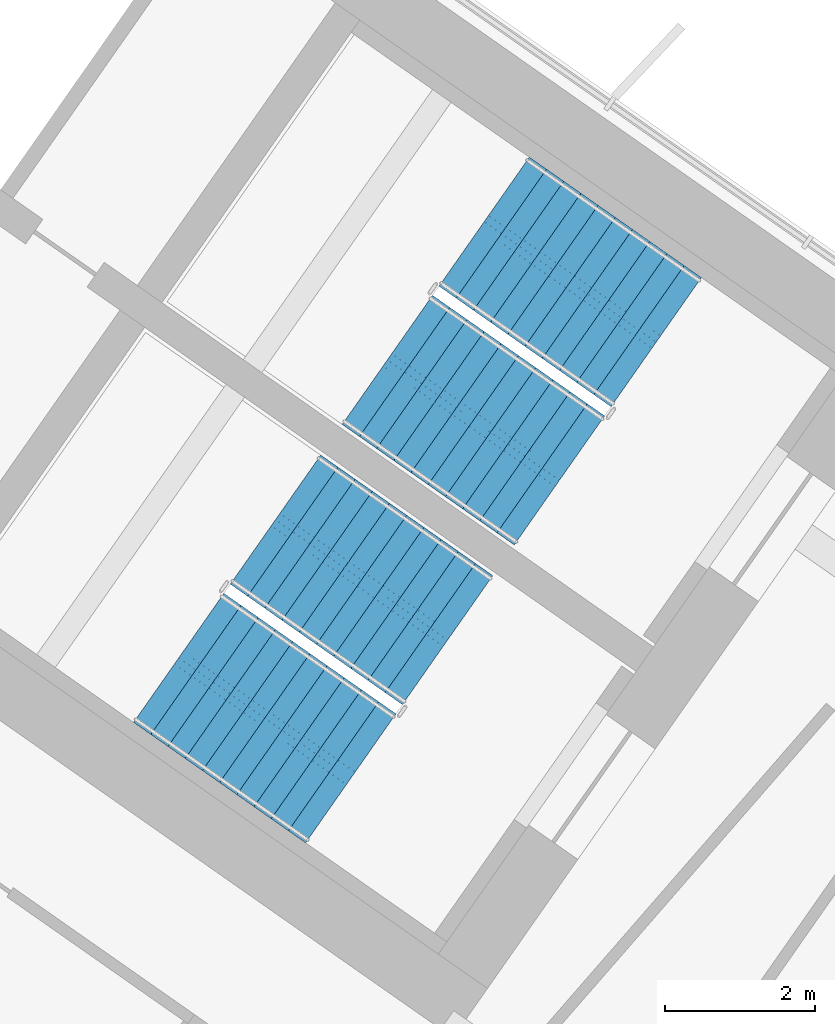
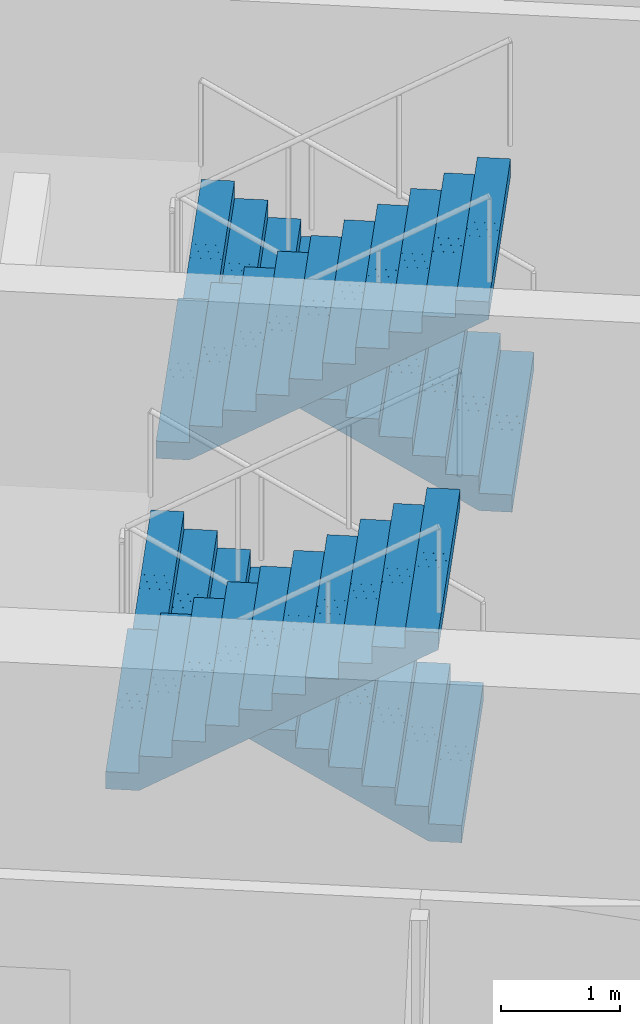
# One storey, part 16 of 21: 4 stair flights, 2 elements without a shape of their own.
"""IFC4 building model written with IfcOpenShell, lengths in metres."""

import ifcopenshell
import ifcopenshell.guid

model = None  # the IFC model being written
_history = None  # IfcOwnerHistory: only IFC2X3 demands one
_inside = {}  # id of a spatial element -> (the spatial element, [elements in it])
_under = {}  # id of a project, library or spatial element -> (it, [spatial elements below it])
_declared = {}  # id of a project -> (the project, [libraries it declares])
_typed = {}  # id of a type object -> (the type object, [elements of that type])
_made_of = {}  # id of a material, layer set ... -> (it, [elements and type objects made of it])


def new_model(schema):
    """Start an empty IFC model of exactly this schema.

    Asked for "IFC4X3", IfcOpenShell would pick the latest addendum, in which some entities
    have other attributes; the version numbers below select the first issue.
    IFC2X3 requires an IfcOwnerHistory on every rooted entity: one is made here for all.
    """
    global model, _history
    if schema == "IFC4X3":
        model = ifcopenshell.file(schema_version=(4, 3, 0, 0))
    else:
        model = ifcopenshell.file(schema=schema)
    _inside.clear()
    _under.clear()
    _declared.clear()
    _typed.clear()
    _made_of.clear()
    _history = None
    if model.schema == "IFC2X3":
        org = make("IfcOrganization", Name="unknown")
        user = make(
            "IfcPersonAndOrganization",
            ThePerson=make("IfcPerson", FamilyName="unknown"),
            TheOrganization=org,
        )
        app = make(
            "IfcApplication",
            ApplicationDeveloper=org,
            Version="unknown",
            ApplicationFullName="unknown",
            ApplicationIdentifier="unknown",
        )
        _history = make(
            "IfcOwnerHistory",
            OwningUser=user,
            OwningApplication=app,
            ChangeAction="ADDED",
            CreationDate=0,
        )
    return model


def make(cls, **values):
    """One entity of the class cls with the attributes given. An attribute that is None is left unset."""
    return model.create_entity(
        cls, **{name: value for name, value in values.items() if value is not None}
    )


def rooted(cls, **values):
    """An entity with a GlobalId (a new one), such as an element, a storey or a relation."""
    return make(cls, GlobalId=ifcopenshell.guid.new(), OwnerHistory=_history, **values)


def si_unit(unit_type, name, prefix=None):
    """IfcSIUnit, for example si_unit("LENGTHUNIT", "METRE", prefix="MILLI")."""
    return make("IfcSIUnit", UnitType=unit_type, Prefix=prefix, Name=name)


def assignment(units):
    """IfcUnitAssignment: the units of a project."""
    return None if units is None else make("IfcUnitAssignment", Units=units)


def point(xyz):
    """IfcCartesianPoint."""
    return None if xyz is None else make("IfcCartesianPoint", Coordinates=xyz)


def direction(xyz):
    """IfcDirection."""
    return None if xyz is None else make("IfcDirection", DirectionRatios=xyz)


def frame(location, z_axis=None, x_axis=None):
    """IfcAxis2Placement3D, a coordinate frame: its origin and axes. An axis left out is left unset."""
    return make(
        "IfcAxis2Placement3D",
        Location=point(location),
        Axis=direction(z_axis),
        RefDirection=direction(x_axis),
    )


def origin():
    """The frame at (0, 0, 0) with its axes left unset."""
    return frame((0.0, 0.0, 0.0))


def place(relative_to, where):
    """IfcLocalPlacement: puts the frame where relative to a parent placement (None: the world)."""
    return make(
        "IfcLocalPlacement", PlacementRelTo=relative_to, RelativePlacement=where
    )


def context(
    kind, dimensions, precision=None, world=None, true_north=None, identifier=None
):
    """IfcGeometricRepresentationContext, for example the 3D "Model" context."""
    return make(
        "IfcGeometricRepresentationContext",
        ContextIdentifier=identifier,
        ContextType=kind,
        CoordinateSpaceDimension=dimensions,
        Precision=precision,
        WorldCoordinateSystem=world,
        TrueNorth=true_north,
    )


def subcontext(parent, identifier, kind, view, scale=None):
    """IfcGeometricRepresentationSubContext, for example "Body" below "Model"."""
    return make(
        "IfcGeometricRepresentationSubContext",
        ContextIdentifier=identifier,
        ContextType=kind,
        ParentContext=parent,
        TargetScale=scale,
        TargetView=view,
    )


def project(units=None, contexts=None):
    """IfcProject with its units and contexts."""
    return rooted(
        "IfcProject",
        Name="project",
        RepresentationContexts=contexts,
        UnitsInContext=assignment(units),
    )


def spatial(cls, under=None, at=None, **own):
    """A site, building, storey or space (cls), placed at a placement, below another one or the project."""
    s = rooted(cls, ObjectPlacement=at, **own)
    if under is not None:
        _under.setdefault(under.id(), (under, []))[1].append(s)
    return s


def polyline(points):
    """IfcPolyline through the points."""
    return make("IfcPolyline", Points=[point(p) for p in points])


def outline(outer, holes=None, kind="AREA"):
    """IfcArbitraryClosedProfileDef: a profile drawn as a closed curve; with holes, ...WithVoids."""
    if holes is None:
        return make("IfcArbitraryClosedProfileDef", ProfileType=kind, OuterCurve=outer)
    return make(
        "IfcArbitraryProfileDefWithVoids",
        ProfileType=kind,
        OuterCurve=outer,
        InnerCurves=holes,
    )


def extrude(swept, where, along, depth):
    """IfcExtrudedAreaSolid: the profile swept, set in the frame where, extruded along a direction by depth."""
    return make(
        "IfcExtrudedAreaSolid",
        SweptArea=swept,
        Position=where,
        ExtrudedDirection=direction(along),
        Depth=depth,
    )


def shape(context_of_items, identifier, shape_type, items):
    """IfcShapeRepresentation: the items that make up one representation, for example the "Body"."""
    return make(
        "IfcShapeRepresentation",
        ContextOfItems=context_of_items,
        RepresentationIdentifier=identifier,
        RepresentationType=shape_type,
        Items=items,
    )


def material(Name=None, Category=None):
    """IfcMaterial."""
    return make("IfcMaterial", Name=Name, Category=Category)


def made_of(thing, what):
    """Note that an element or type object is made of a material, layer set ...; save() writes the relation."""
    if what is not None:
        _made_of.setdefault(what.id(), (what, []))[1].append(thing)
    return thing


def type_object(cls, material=None, **own):
    """A type object (cls), such as IfcWallType, which elements share."""
    return made_of(rooted(cls, **own), material)


def element(
    cls,
    number,
    at=None,
    inside=None,
    cuts=None,
    type_object=None,
    material=None,
    context=None,
    identifier="Body",
    shape_type=None,
    held_by="IfcProductDefinitionShape",
    body=None,
    shapes=None,
    **own,
):
    """One element of the class cls, such as IfcWall. Its Tag is "e" and its number.

    at: its placement. inside: the storey or other place that contains it. cuts: it is an
    opening in that element (IfcRelVoidsElement). A single representation is given by context,
    identifier, shape_type and body (its items); several are given by shapes. held_by: the class
    of the entity that holds the representations. save() writes the other relations.
    """
    e = rooted(cls, Tag="e%d" % number, ObjectPlacement=at, **own)
    if body is not None:
        shapes = [shape(context, identifier, shape_type, body)]
    if shapes is not None:
        e.Representation = make(held_by, Representations=shapes)
    if inside is not None:
        _inside.setdefault(inside.id(), (inside, []))[1].append(e)
    if cuts is not None:
        rooted(
            "IfcRelVoidsElement", RelatingBuildingElement=cuts, RelatedOpeningElement=e
        )
    if type_object is not None:
        _typed.setdefault(type_object.id(), (type_object, []))[1].append(e)
    return made_of(e, material)


def aggregate(whole, parts):
    """IfcRelAggregates: a whole, such as a stair, and the parts it consists of."""
    return rooted("IfcRelAggregates", RelatingObject=whole, RelatedObjects=parts)


def save(model, path):
    """Write the relations noted so far, then the file.

    IfcRelAggregates (storeys below a building ...), IfcRelContainedInSpatialStructure (elements
    in a storey), IfcRelDefinesByType, IfcRelAssociatesMaterial and IfcRelDeclares: one each for
    every whole, place, type object, material and project.
    """
    for whole, parts in _under.values():
        aggregate(whole, parts)
    for where, things in _inside.values():
        rooted(
            "IfcRelContainedInSpatialStructure",
            RelatedElements=things,
            RelatingStructure=where,
        )
    for kind, things in _typed.values():
        rooted("IfcRelDefinesByType", RelatedObjects=things, RelatingType=kind)
    for what, things in _made_of.values():
        rooted("IfcRelAssociatesMaterial", RelatedObjects=things, RelatingMaterial=what)
    for by, libraries in _declared.values():
        rooted("IfcRelDeclares", RelatingContext=by, RelatedDefinitions=libraries)
    model.write(path)


model = new_model("IFC4")

# Units and contexts
model_context = context("Model", 3, precision=1e-05, world=origin(), true_north=direction((0.0, 1.0)))
body_context = subcontext(model_context, "Body", "Model", "MODEL_VIEW")
ifc_project = project(units=[si_unit("LENGTHUNIT", "METRE"), si_unit("AREAUNIT", "SQUARE_METRE"), si_unit("VOLUMEUNIT", "CUBIC_METRE"), si_unit("PLANEANGLEUNIT", "RADIAN"), si_unit("MASSUNIT", "GRAM", prefix="KILO")], contexts=[model_context])

# Site, building, storey
site_placement = place(None, origin())
site = spatial("IfcSite", under=ifc_project, at=site_placement, CompositionType="ELEMENT")
building_placement = place(site_placement, origin())
building = spatial("IfcBuilding", under=site, at=building_placement, Name="Tel Ilan Convention Tower", CompositionType="ELEMENT")
storey_placement = place(building_placement, frame((0.0, 0.0, 163.199951171875)))
storey = spatial("IfcBuildingStorey", under=building, at=storey_placement, Name="L37", CompositionType="ELEMENT", Elevation=163.199951171875)

# Stair, stair flights
ifc_material_1 = material(Name="Concrete C40/50", Category="concrete")
stair_type = type_object("IfcStairType", Name="Pressurised Exit Stair 22 risers 177 mm", PredefinedType="HALF_TURN_STAIR", material=ifc_material_1)
stair_1_placement = place(storey_placement, origin())
stair_1 = element("IfcStair", 1, at=stair_1_placement, inside=storey, type_object=stair_type, Name="L37 Pressurised Stair S3", PredefinedType="HALF_TURN_STAIR")
ifc_material_2 = material(Name="Precast Concrete C40/50", Category="concrete")
stair_flight_type = type_object("IfcStairFlightType", Name="Concrete Stair Flight 2100 mm 22 risers 177 mm", PredefinedType="STRAIGHT", material=ifc_material_2)
stair_flight_1_placement = place(storey_placement, frame((24.25244140625, -7.032470703125, 0.0), z_axis=(0.0, 0.0, 1.0), x_axis=(-0.819152044289, 0.573576436351, 0.0)))
stair_flight_1 = element("IfcStairFlight", 2, at=stair_flight_1_placement, type_object=stair_flight_type, Name="S3 flight 1", NumberOfRisers=11, NumberOfTreads=10, PredefinedType="STRAIGHT", RiserHeight=0.177272727, TreadLength=0.28, context=body_context, shape_type="SweptSolid", body=[
    extrude(outline(polyline([(0.0, 0.0), (0.0, 0.17724609375), (0.280029296875, 0.17724609375), (0.280029296875, 0.3544921875), (0.56005859375, 0.3544921875), (0.56005859375, 0.53173828125), (0.840087890625, 0.53173828125), (0.840087890625, 0.708984375), (1.1201171875, 0.708984375), (1.1201171875, 0.886474609375), (1.39990234375, 0.886474609375), (1.39990234375, 1.063720703125), (1.679931640625, 1.063720703125), (1.679931640625, 1.240966796875), (1.9599609375, 1.240966796875), (1.9599609375, 1.418212890625), (2.239990234375, 1.418212890625), (2.239990234375, 1.595458984375), (2.52001953125, 1.595458984375), (2.52001953125, 1.772705078125), (2.800048828125, 1.772705078125), (2.800048828125, 1.949951171875), (2.800048828125, 1.59521484375), (0.2802734375, 0.0), (0.0, 0.0)])), frame((0.0, -0.100341796875, 0.0), z_axis=(0.0, -1.0, 0.0), x_axis=(1.0, 0.0, 0.0)), (0.0, 0.0, 1.0), 0.94970703125),
    extrude(outline(polyline([(0.0, 0.0), (0.0, 0.17724609375), (0.280029296875, 0.17724609375), (0.280029296875, 0.3544921875), (0.56005859375, 0.3544921875), (0.56005859375, 0.53173828125), (0.840087890625, 0.53173828125), (0.840087890625, 0.708984375), (1.1201171875, 0.708984375), (1.1201171875, 0.886474609375), (1.39990234375, 0.886474609375), (1.39990234375, 1.063720703125), (1.679931640625, 1.063720703125), (1.679931640625, 1.240966796875), (1.9599609375, 1.240966796875), (1.9599609375, 1.418212890625), (2.239990234375, 1.418212890625), (2.239990234375, 1.595458984375), (2.52001953125, 1.595458984375), (2.52001953125, 1.772705078125), (2.800048828125, 1.772705078125), (2.800048828125, 1.949951171875), (2.800048828125, 1.59521484375), (0.2802734375, 0.0), (0.0, 0.0)])), frame((0.0, -0.000244140625, 0.0), z_axis=(0.0, -1.0, 0.0), x_axis=(1.0, 0.0, 0.0)), (0.0, 0.0, 1.0), 0.099609375),
    extrude(outline(polyline([(0.0, 0.0), (0.0, 0.17724609375), (0.280029296875, 0.17724609375), (0.280029296875, 0.3544921875), (0.56005859375, 0.3544921875), (0.56005859375, 0.53173828125), (0.840087890625, 0.53173828125), (0.840087890625, 0.708984375), (1.1201171875, 0.708984375), (1.1201171875, 0.886474609375), (1.39990234375, 0.886474609375), (1.39990234375, 1.063720703125), (1.679931640625, 1.063720703125), (1.679931640625, 1.240966796875), (1.9599609375, 1.240966796875), (1.9599609375, 1.418212890625), (2.239990234375, 1.418212890625), (2.239990234375, 1.595458984375), (2.52001953125, 1.595458984375), (2.52001953125, 1.772705078125), (2.800048828125, 1.772705078125), (2.800048828125, 1.949951171875), (2.800048828125, 1.59521484375), (0.2802734375, 0.0), (0.0, 0.0)])), frame((0.0, 0.099853515625, 0.0), z_axis=(0.0, -1.0, 0.0), x_axis=(1.0, 0.0, 0.0)), (0.0, 0.0, 1.0), 0.099609375),
    extrude(outline(polyline([(0.0, 0.0), (0.0, 0.17724609375), (0.280029296875, 0.17724609375), (0.280029296875, 0.3544921875), (0.56005859375, 0.3544921875), (0.56005859375, 0.53173828125), (0.840087890625, 0.53173828125), (0.840087890625, 0.708984375), (1.1201171875, 0.708984375), (1.1201171875, 0.886474609375), (1.39990234375, 0.886474609375), (1.39990234375, 1.063720703125), (1.679931640625, 1.063720703125), (1.679931640625, 1.240966796875), (1.9599609375, 1.240966796875), (1.9599609375, 1.418212890625), (2.239990234375, 1.418212890625), (2.239990234375, 1.595458984375), (2.52001953125, 1.595458984375), (2.52001953125, 1.772705078125), (2.800048828125, 1.772705078125), (2.800048828125, 1.949951171875), (2.800048828125, 1.59521484375), (0.2802734375, 0.0), (0.0, 0.0)])), frame((0.0, 1.050048828125, 0.0), z_axis=(0.0, -1.0, 0.0), x_axis=(1.0, 0.0, 0.0)), (0.0, 0.0, 1.0), 0.94970703125),
])
stair_flight_2_placement = place(storey_placement, frame((20.668212890625, -7.26953125, 1.949951171875), z_axis=(0.0, 0.0, 1.0), x_axis=(0.819152044289, -0.573576436351, 0.0)))
stair_flight_2 = element("IfcStairFlight", 3, at=stair_flight_2_placement, type_object=stair_flight_type, Name="S3 flight 2", NumberOfRisers=11, NumberOfTreads=10, PredefinedType="STRAIGHT", RiserHeight=0.177272727, TreadLength=0.28, context=body_context, shape_type="SweptSolid", body=[
    extrude(outline(polyline([(0.0, 0.0), (0.0, 0.17724609375), (0.280029296875, 0.17724609375), (0.280029296875, 0.3544921875), (0.56005859375, 0.3544921875), (0.56005859375, 0.53173828125), (0.840087890625, 0.53173828125), (0.840087890625, 0.708984375), (1.1201171875, 0.708984375), (1.1201171875, 0.886474609375), (1.39990234375, 0.886474609375), (1.39990234375, 1.063720703125), (1.679931640625, 1.063720703125), (1.679931640625, 1.240966796875), (1.9599609375, 1.240966796875), (1.9599609375, 1.418212890625), (2.239990234375, 1.418212890625), (2.239990234375, 1.595458984375), (2.52001953125, 1.595458984375), (2.52001953125, 1.772705078125), (2.800048828125, 1.772705078125), (2.800048828125, 1.949951171875), (2.800048828125, 1.59521484375), (0.2802734375, 0.0), (0.0, 0.0)])), frame((0.0, -0.100341796875, 0.0), z_axis=(0.0, -1.0, 0.0), x_axis=(1.0, 0.0, 0.0)), (0.0, 0.0, 1.0), 0.94970703125),
    extrude(outline(polyline([(0.0, 0.0), (0.0, 0.17724609375), (0.280029296875, 0.17724609375), (0.280029296875, 0.3544921875), (0.56005859375, 0.3544921875), (0.56005859375, 0.53173828125), (0.840087890625, 0.53173828125), (0.840087890625, 0.708984375), (1.1201171875, 0.708984375), (1.1201171875, 0.886474609375), (1.39990234375, 0.886474609375), (1.39990234375, 1.063720703125), (1.679931640625, 1.063720703125), (1.679931640625, 1.240966796875), (1.9599609375, 1.240966796875), (1.9599609375, 1.418212890625), (2.239990234375, 1.418212890625), (2.239990234375, 1.595458984375), (2.52001953125, 1.595458984375), (2.52001953125, 1.772705078125), (2.800048828125, 1.772705078125), (2.800048828125, 1.949951171875), (2.800048828125, 1.59521484375), (0.2802734375, 0.0), (0.0, 0.0)])), frame((0.0, -0.000244140625, 0.0), z_axis=(0.0, -1.0, 0.0), x_axis=(1.0, 0.0, 0.0)), (0.0, 0.0, 1.0), 0.099609375),
    extrude(outline(polyline([(0.0, 0.0), (0.0, 0.17724609375), (0.280029296875, 0.17724609375), (0.280029296875, 0.3544921875), (0.56005859375, 0.3544921875), (0.56005859375, 0.53173828125), (0.840087890625, 0.53173828125), (0.840087890625, 0.708984375), (1.1201171875, 0.708984375), (1.1201171875, 0.886474609375), (1.39990234375, 0.886474609375), (1.39990234375, 1.063720703125), (1.679931640625, 1.063720703125), (1.679931640625, 1.240966796875), (1.9599609375, 1.240966796875), (1.9599609375, 1.418212890625), (2.239990234375, 1.418212890625), (2.239990234375, 1.595458984375), (2.52001953125, 1.595458984375), (2.52001953125, 1.772705078125), (2.800048828125, 1.772705078125), (2.800048828125, 1.949951171875), (2.800048828125, 1.59521484375), (0.2802734375, 0.0), (0.0, 0.0)])), frame((0.0, 0.099853515625, 0.0), z_axis=(0.0, -1.0, 0.0), x_axis=(1.0, 0.0, 0.0)), (0.0, 0.0, 1.0), 0.099609375),
    extrude(outline(polyline([(0.0, 0.0), (0.0, 0.17724609375), (0.280029296875, 0.17724609375), (0.280029296875, 0.3544921875), (0.56005859375, 0.3544921875), (0.56005859375, 0.53173828125), (0.840087890625, 0.53173828125), (0.840087890625, 0.708984375), (1.1201171875, 0.708984375), (1.1201171875, 0.886474609375), (1.39990234375, 0.886474609375), (1.39990234375, 1.063720703125), (1.679931640625, 1.063720703125), (1.679931640625, 1.240966796875), (1.9599609375, 1.240966796875), (1.9599609375, 1.418212890625), (2.239990234375, 1.418212890625), (2.239990234375, 1.595458984375), (2.52001953125, 1.595458984375), (2.52001953125, 1.772705078125), (2.800048828125, 1.772705078125), (2.800048828125, 1.949951171875), (2.800048828125, 1.59521484375), (0.2802734375, 0.0), (0.0, 0.0)])), frame((0.0, 1.050048828125, 0.0), z_axis=(0.0, -1.0, 0.0), x_axis=(1.0, 0.0, 0.0)), (0.0, 0.0, 1.0), 0.94970703125),
])
aggregate(stair_1, [stair_flight_1, stair_flight_2])

stair_2_placement = place(storey_placement, origin())
stair_2 = element("IfcStair", 4, at=stair_2_placement, inside=storey, type_object=stair_type, Name="L37 Pressurised Stair S4", PredefinedType="HALF_TURN_STAIR")
stair_flight_3_placement = place(storey_placement, frame((21.470458984375, -11.00537109375, 0.0), z_axis=(0.0, 0.0, 1.0), x_axis=(-0.819152044289, 0.573576436351, 0.0)))
stair_flight_3 = element("IfcStairFlight", 5, at=stair_flight_3_placement, type_object=stair_flight_type, Name="S4 flight 1", NumberOfRisers=11, NumberOfTreads=10, PredefinedType="STRAIGHT", RiserHeight=0.177272727, TreadLength=0.28, context=body_context, shape_type="SweptSolid", body=[
    extrude(outline(polyline([(0.0, 0.0), (0.0, 0.17724609375), (0.280029296875, 0.17724609375), (0.280029296875, 0.3544921875), (0.56005859375, 0.3544921875), (0.56005859375, 0.53173828125), (0.840087890625, 0.53173828125), (0.840087890625, 0.708984375), (1.1201171875, 0.708984375), (1.1201171875, 0.886474609375), (1.39990234375, 0.886474609375), (1.39990234375, 1.063720703125), (1.679931640625, 1.063720703125), (1.679931640625, 1.240966796875), (1.9599609375, 1.240966796875), (1.9599609375, 1.418212890625), (2.239990234375, 1.418212890625), (2.239990234375, 1.595458984375), (2.52001953125, 1.595458984375), (2.52001953125, 1.772705078125), (2.800048828125, 1.772705078125), (2.800048828125, 1.949951171875), (2.800048828125, 1.59521484375), (0.2802734375, 0.0), (0.0, 0.0)])), frame((0.0, -0.100341796875, 0.0), z_axis=(0.0, -1.0, 0.0), x_axis=(1.0, 0.0, 0.0)), (0.0, 0.0, 1.0), 0.94970703125),
    extrude(outline(polyline([(0.0, 0.0), (0.0, 0.17724609375), (0.280029296875, 0.17724609375), (0.280029296875, 0.3544921875), (0.56005859375, 0.3544921875), (0.56005859375, 0.53173828125), (0.840087890625, 0.53173828125), (0.840087890625, 0.708984375), (1.1201171875, 0.708984375), (1.1201171875, 0.886474609375), (1.39990234375, 0.886474609375), (1.39990234375, 1.063720703125), (1.679931640625, 1.063720703125), (1.679931640625, 1.240966796875), (1.9599609375, 1.240966796875), (1.9599609375, 1.418212890625), (2.239990234375, 1.418212890625), (2.239990234375, 1.595458984375), (2.52001953125, 1.595458984375), (2.52001953125, 1.772705078125), (2.800048828125, 1.772705078125), (2.800048828125, 1.949951171875), (2.800048828125, 1.59521484375), (0.2802734375, 0.0), (0.0, 0.0)])), frame((0.0, -0.000244140625, 0.0), z_axis=(0.0, -1.0, 0.0), x_axis=(1.0, 0.0, 0.0)), (0.0, 0.0, 1.0), 0.099609375),
    extrude(outline(polyline([(0.0, 0.0), (0.0, 0.17724609375), (0.280029296875, 0.17724609375), (0.280029296875, 0.3544921875), (0.56005859375, 0.3544921875), (0.56005859375, 0.53173828125), (0.840087890625, 0.53173828125), (0.840087890625, 0.708984375), (1.1201171875, 0.708984375), (1.1201171875, 0.886474609375), (1.39990234375, 0.886474609375), (1.39990234375, 1.063720703125), (1.679931640625, 1.063720703125), (1.679931640625, 1.240966796875), (1.9599609375, 1.240966796875), (1.9599609375, 1.418212890625), (2.239990234375, 1.418212890625), (2.239990234375, 1.595458984375), (2.52001953125, 1.595458984375), (2.52001953125, 1.772705078125), (2.800048828125, 1.772705078125), (2.800048828125, 1.949951171875), (2.800048828125, 1.59521484375), (0.2802734375, 0.0), (0.0, 0.0)])), frame((0.0, 0.099853515625, 0.0), z_axis=(0.0, -1.0, 0.0), x_axis=(1.0, 0.0, 0.0)), (0.0, 0.0, 1.0), 0.099609375),
    extrude(outline(polyline([(0.0, 0.0), (0.0, 0.17724609375), (0.280029296875, 0.17724609375), (0.280029296875, 0.3544921875), (0.56005859375, 0.3544921875), (0.56005859375, 0.53173828125), (0.840087890625, 0.53173828125), (0.840087890625, 0.708984375), (1.1201171875, 0.708984375), (1.1201171875, 0.886474609375), (1.39990234375, 0.886474609375), (1.39990234375, 1.063720703125), (1.679931640625, 1.063720703125), (1.679931640625, 1.240966796875), (1.9599609375, 1.240966796875), (1.9599609375, 1.418212890625), (2.239990234375, 1.418212890625), (2.239990234375, 1.595458984375), (2.52001953125, 1.595458984375), (2.52001953125, 1.772705078125), (2.800048828125, 1.772705078125), (2.800048828125, 1.949951171875), (2.800048828125, 1.59521484375), (0.2802734375, 0.0), (0.0, 0.0)])), frame((0.0, 1.050048828125, 0.0), z_axis=(0.0, -1.0, 0.0), x_axis=(1.0, 0.0, 0.0)), (0.0, 0.0, 1.0), 0.94970703125),
])
stair_flight_4_placement = place(storey_placement, frame((17.886474609375, -11.242431640625, 1.949951171875), z_axis=(0.0, 0.0, 1.0), x_axis=(0.819152044289, -0.573576436351, 0.0)))
stair_flight_4 = element("IfcStairFlight", 6, at=stair_flight_4_placement, type_object=stair_flight_type, Name="S4 flight 2", NumberOfRisers=11, NumberOfTreads=10, PredefinedType="STRAIGHT", RiserHeight=0.177272727, TreadLength=0.28, context=body_context, shape_type="SweptSolid", body=[
    extrude(outline(polyline([(0.0, 0.0), (0.0, 0.17724609375), (0.280029296875, 0.17724609375), (0.280029296875, 0.3544921875), (0.56005859375, 0.3544921875), (0.56005859375, 0.53173828125), (0.840087890625, 0.53173828125), (0.840087890625, 0.708984375), (1.1201171875, 0.708984375), (1.1201171875, 0.886474609375), (1.39990234375, 0.886474609375), (1.39990234375, 1.063720703125), (1.679931640625, 1.063720703125), (1.679931640625, 1.240966796875), (1.9599609375, 1.240966796875), (1.9599609375, 1.418212890625), (2.239990234375, 1.418212890625), (2.239990234375, 1.595458984375), (2.52001953125, 1.595458984375), (2.52001953125, 1.772705078125), (2.800048828125, 1.772705078125), (2.800048828125, 1.949951171875), (2.800048828125, 1.59521484375), (0.2802734375, 0.0), (0.0, 0.0)])), frame((0.0, -0.100341796875, 0.0), z_axis=(0.0, -1.0, 0.0), x_axis=(1.0, 0.0, 0.0)), (0.0, 0.0, 1.0), 0.94970703125),
    extrude(outline(polyline([(0.0, 0.0), (0.0, 0.17724609375), (0.280029296875, 0.17724609375), (0.280029296875, 0.3544921875), (0.56005859375, 0.3544921875), (0.56005859375, 0.53173828125), (0.840087890625, 0.53173828125), (0.840087890625, 0.708984375), (1.1201171875, 0.708984375), (1.1201171875, 0.886474609375), (1.39990234375, 0.886474609375), (1.39990234375, 1.063720703125), (1.679931640625, 1.063720703125), (1.679931640625, 1.240966796875), (1.9599609375, 1.240966796875), (1.9599609375, 1.418212890625), (2.239990234375, 1.418212890625), (2.239990234375, 1.595458984375), (2.52001953125, 1.595458984375), (2.52001953125, 1.772705078125), (2.800048828125, 1.772705078125), (2.800048828125, 1.949951171875), (2.800048828125, 1.59521484375), (0.2802734375, 0.0), (0.0, 0.0)])), frame((0.0, -0.000244140625, 0.0), z_axis=(0.0, -1.0, 0.0), x_axis=(1.0, 0.0, 0.0)), (0.0, 0.0, 1.0), 0.099609375),
    extrude(outline(polyline([(0.0, 0.0), (0.0, 0.17724609375), (0.280029296875, 0.17724609375), (0.280029296875, 0.3544921875), (0.56005859375, 0.3544921875), (0.56005859375, 0.53173828125), (0.840087890625, 0.53173828125), (0.840087890625, 0.708984375), (1.1201171875, 0.708984375), (1.1201171875, 0.886474609375), (1.39990234375, 0.886474609375), (1.39990234375, 1.063720703125), (1.679931640625, 1.063720703125), (1.679931640625, 1.240966796875), (1.9599609375, 1.240966796875), (1.9599609375, 1.418212890625), (2.239990234375, 1.418212890625), (2.239990234375, 1.595458984375), (2.52001953125, 1.595458984375), (2.52001953125, 1.772705078125), (2.800048828125, 1.772705078125), (2.800048828125, 1.949951171875), (2.800048828125, 1.59521484375), (0.2802734375, 0.0), (0.0, 0.0)])), frame((0.0, 0.099853515625, 0.0), z_axis=(0.0, -1.0, 0.0), x_axis=(1.0, 0.0, 0.0)), (0.0, 0.0, 1.0), 0.099609375),
    extrude(outline(polyline([(0.0, 0.0), (0.0, 0.17724609375), (0.280029296875, 0.17724609375), (0.280029296875, 0.3544921875), (0.56005859375, 0.3544921875), (0.56005859375, 0.53173828125), (0.840087890625, 0.53173828125), (0.840087890625, 0.708984375), (1.1201171875, 0.708984375), (1.1201171875, 0.886474609375), (1.39990234375, 0.886474609375), (1.39990234375, 1.063720703125), (1.679931640625, 1.063720703125), (1.679931640625, 1.240966796875), (1.9599609375, 1.240966796875), (1.9599609375, 1.418212890625), (2.239990234375, 1.418212890625), (2.239990234375, 1.595458984375), (2.52001953125, 1.595458984375), (2.52001953125, 1.772705078125), (2.800048828125, 1.772705078125), (2.800048828125, 1.949951171875), (2.800048828125, 1.59521484375), (0.2802734375, 0.0), (0.0, 0.0)])), frame((0.0, 1.050048828125, 0.0), z_axis=(0.0, -1.0, 0.0), x_axis=(1.0, 0.0, 0.0)), (0.0, 0.0, 1.0), 0.94970703125),
])
aggregate(stair_2, [stair_flight_3, stair_flight_4])

save(model, "model.ifc")
